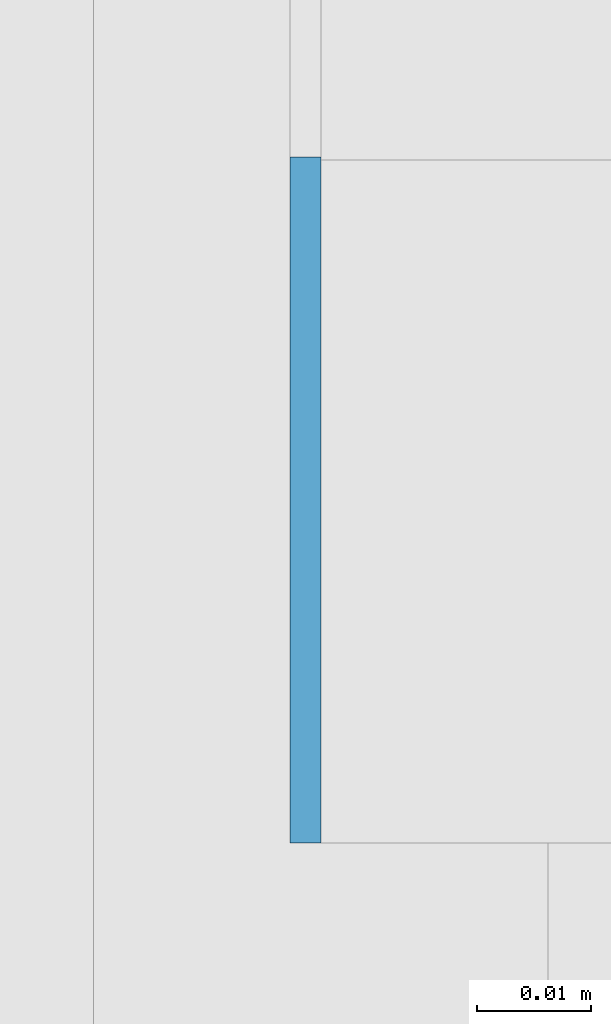
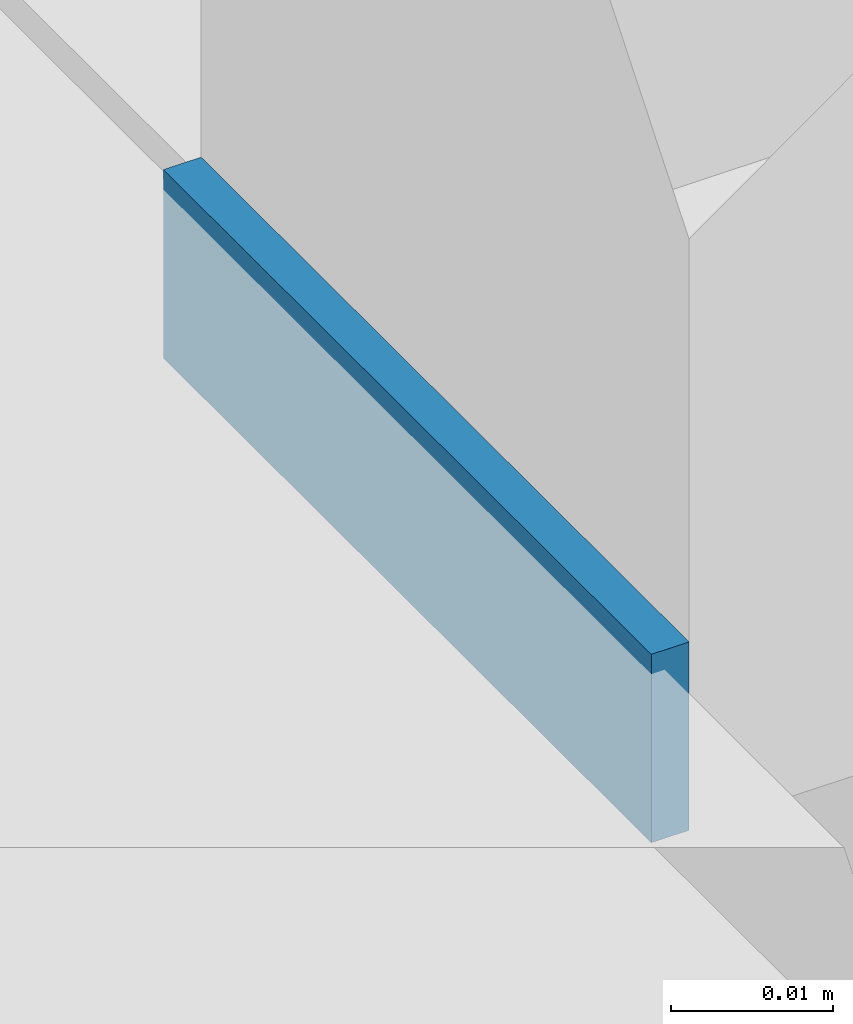
# One storey, part 618 of 646: 1 discrete accessory.
"""IFC4 building model written with IfcOpenShell, lengths in metres."""

from ifc_helpers import new_model, si_unit, direction, frame, origin, origin_2d, place, context, subcontext, project, spatial, rectangle, extrude, material, type_object, element, save


model = new_model("IFC4")

# Units and contexts
model_context = context("Model", 3, precision=1e-05, world=origin(), true_north=direction((0.0, 1.0)))
body_context = subcontext(model_context, "Body", "Model", "MODEL_VIEW")
ifc_project = project(units=[si_unit("LENGTHUNIT", "METRE"), si_unit("AREAUNIT", "SQUARE_METRE"), si_unit("VOLUMEUNIT", "CUBIC_METRE"), si_unit("PLANEANGLEUNIT", "RADIAN"), si_unit("MASSUNIT", "GRAM", prefix="KILO")], contexts=[model_context])

# Site, building, storey
site_placement = place(None, origin())
site = spatial("IfcSite", under=ifc_project, at=site_placement, CompositionType="ELEMENT")
building_placement = place(site_placement, origin())
building = spatial("IfcBuilding", under=site, at=building_placement, Name="Silverbay Arena", CompositionType="ELEMENT")
storey_placement = place(building_placement, frame((0.0, 0.0, 33.5)))
storey = spatial("IfcBuildingStorey", under=building, at=storey_placement, Name="L05", CompositionType="ELEMENT", Elevation=33.5)

# Discrete accessory
ifc_material = material(Name="Steel S355", Category="steel")
discrete_accessory_type = type_object("IfcDiscreteAccessoryType", Name="Steel bracket plate", PredefinedType="BRACKET", material=ifc_material)
discrete_accessory_placement = place(storey_placement, frame((207.128662109375, 134.570068359375, 4.0), z_axis=(0.0, 0.0, 1.0), x_axis=(1.0, 0.0, 0.0)))
element("IfcDiscreteAccessory", 1, at=discrete_accessory_placement, inside=storey, type_object=discrete_accessory_type, Name="Curtain wall packing plate", PredefinedType="BRACKET", context=body_context, shape_type="SweptSolid", body=[
    extrude(rectangle(XDim=0.002685546875, YDim=0.06005859375, at=origin_2d()), origin(), (0.0, 0.0, 1.0), 0.01416015625),
])

save(model, "model.ifc")
